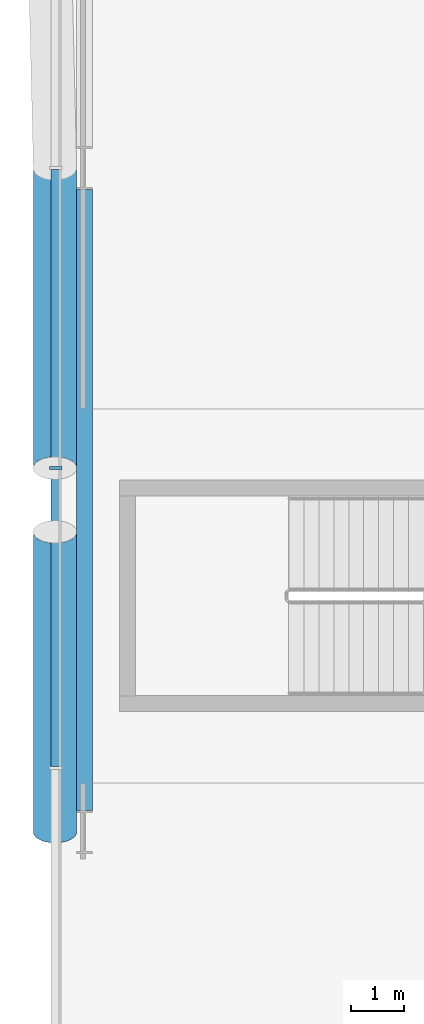
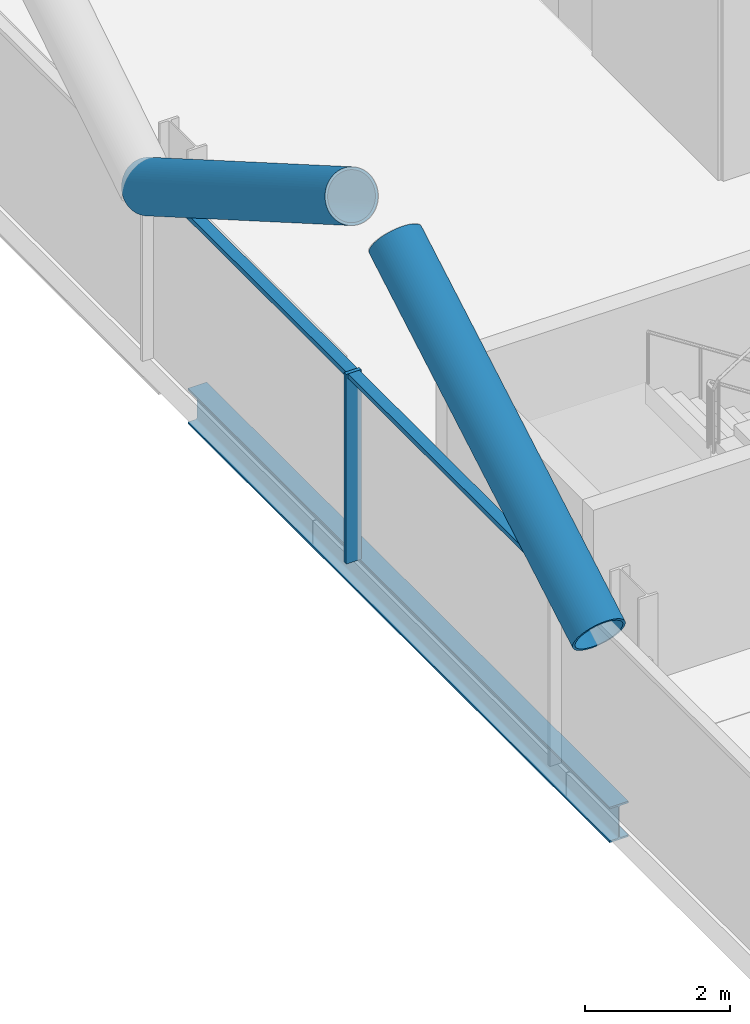
# One storey, part 6 of 30: 5 members, 1 beam, 1 element without a shape of its own.
"""IFC4 building model written with IfcOpenShell, lengths in metres."""

from ifc_helpers import new_model, si_unit, direction, frame, origin, origin_2d, place, context, subcontext, project, spatial, rectangle, hollow_circle, i_section, extrude, material, material_profile, profile_set, type_object, element, aggregate, save


model = new_model("IFC4")

# Units and contexts
model_context = context("Model", 3, precision=1e-05, world=origin(), true_north=direction((0.0, 1.0)))
body_context = subcontext(model_context, "Body", "Model", "MODEL_VIEW")
ifc_project = project(units=[si_unit("LENGTHUNIT", "METRE"), si_unit("AREAUNIT", "SQUARE_METRE"), si_unit("VOLUMEUNIT", "CUBIC_METRE"), si_unit("PLANEANGLEUNIT", "RADIAN"), si_unit("MASSUNIT", "GRAM", prefix="KILO")], contexts=[model_context])

# Site, building, storey
site_placement = place(None, origin())
site = spatial("IfcSite", under=ifc_project, at=site_placement, CompositionType="ELEMENT")
building_placement = place(site_placement, origin())
building = spatial("IfcBuilding", under=site, at=building_placement, Name="Wharfspan Tower", CompositionType="ELEMENT")
storey_placement = place(building_placement, frame((0.0, 0.0, 100.300049)))
storey = spatial("IfcBuildingStorey", under=building, at=storey_placement, Name="L22", CompositionType="ELEMENT", Elevation=100.300049)

# Beam
ifc_material_1 = material(Name="Steel S355J2", Category="steel")
ifc_material_profile_1 = material_profile(ifc_material_1, i_section(OverallWidth=0.300049, OverallDepth=0.600098, WebThickness=0.015381, FlangeThickness=0.030029, FilletRadius=0.0271, at=origin_2d()))
ifc_profile_set_1 = profile_set([ifc_material_profile_1], Name="Steel S355J2")
beam_type = type_object("IfcBeamType", Name="Edge beam HEB 600", PredefinedType="SPANDREL", material=ifc_profile_set_1)
beam_placement = place(storey_placement, frame((7.540039, 30.330322, -0.699951), z_axis=(0.0, -1.0, 0.0), x_axis=(1.0, 0.0, 0.0)))
element("IfcBeam", 1, at=beam_placement, inside=storey, type_object=beam_type, Name="Edge beam W L22 PW.1 to PW.2", PredefinedType="SPANDREL", context=body_context, shape_type="SweptSolid", body=[
    extrude(i_section(OverallWidth=0.300049, OverallDepth=0.600098, WebThickness=0.015381, FlangeThickness=0.030029, FilletRadius=0.0271, at=origin_2d()), origin(), (0.0, 0.0, 1.0), 11.660645),
])

# Curtain wall, member
ifc_material_2 = material(Name="Aluminium 6063-T6", Category="aluminium")
curtain_wall_type = type_object("IfcCurtainWallType", Name="CURTAIN WALL PROW AND END", PredefinedType="NOTDEFINED", material=ifc_material_2)
curtain_wall_placement = place(storey_placement, origin())
curtain_wall = element("IfcCurtainWall", 2, at=curtain_wall_placement, inside=storey, type_object=curtain_wall_type, Name="Curtain wall W", PredefinedType="NOTDEFINED")
ifc_material_profile_2 = material_profile(ifc_material_2, rectangle(XDim=0.23999, YDim=0.060059, at=origin_2d()))
ifc_profile_set_2 = profile_set([ifc_material_profile_2], Name="Aluminium 6063-T6")
member_type_1 = type_object("IfcMemberType", Name="MULLION PROW AND END 60x240", PredefinedType="MULLION", material=ifc_profile_set_2)
member_1_placement = place(storey_placement, frame((7.0, 25.100098, 0.0), z_axis=(0.0, 0.0, 1.0), x_axis=(1.0, 0.0, 0.0)))
member_1 = element("IfcMember", 3, at=member_1_placement, type_object=member_type_1, Name="Curtain wall W mullion 4", PredefinedType="MULLION", context=body_context, shape_type="SweptSolid", body=[
    extrude(rectangle(XDim=0.23999, YDim=0.060059, at=origin_2d()), origin(), (0.0, 0.0, 1.0), 3.199951),
])

# Members
ifc_material_3 = material(Name="Steel S460NH", Category="steel")
ifc_material_profile_3 = material_profile(ifc_material_3, hollow_circle(Radius=0.406494, WallThickness=0.040039, at=origin_2d()))
ifc_profile_set_3 = profile_set([ifc_material_profile_3], Name="Steel S460NH")
member_type_2 = type_object("IfcMemberType", Name="Mega brace CHS 813x40", PredefinedType="BRACE", material=ifc_profile_set_3)
for number, where, z_axis, x_axis, name in (
    (4, (6.985107, 30.733398, 2.899902), (0.0, -0.865959, 0.500115), (1.0, 0.0, 0.0), "Mega brace W3 L23 part 1"),
    (5, (6.985107, 18.266602, 2.899902), (0.0, 0.865959, 0.500115), (-1.0, 0.0, 0.0), "Mega brace W3 L23 part 3"),
):
    element("IfcMember", number, at=place(storey_placement, frame(where, z_axis=z_axis, x_axis=x_axis)), inside=storey, type_object=member_type_2, Name=name, PredefinedType="BRACE", context=body_context, shape_type="SweptSolid", body=[
        extrude(hollow_circle(Radius=0.406494, WallThickness=0.040039, at=origin_2d()), origin(), (0.0, 0.0, 1.0), 6.498535),
    ])

# Member
ifc_material_profile_4 = material_profile(ifc_material_2, rectangle(XDim=0.179932, YDim=0.080078, at=origin_2d()))
ifc_profile_set_4 = profile_set([ifc_material_profile_4], Name="Aluminium 6063-T6")
member_type_3 = type_object("IfcMemberType", Name="TRANSOM PROW AND END 80x180", PredefinedType="USERDEFINED", material=ifc_profile_set_4)
member_2_placement = place(storey_placement, frame((7.0, 30.703369, 3.159912), z_axis=(0.0, -1.0, 0.0), x_axis=(1.0, 0.0, 0.0)))
member_2 = element("IfcMember", 6, at=member_2_placement, type_object=member_type_3, Name="Curtain wall W transom 3", ObjectType="TRANSOM", PredefinedType="USERDEFINED", context=body_context, shape_type="SweptSolid", body=[
    extrude(rectangle(XDim=0.179932, YDim=0.080078, at=origin_2d()), origin(), (0.0, 0.0, 1.0), 5.573486),
])

member_3_placement = place(storey_placement, frame((7.0, 25.070068, 3.159912), z_axis=(0.0, -1.0, 0.0), x_axis=(1.0, 0.0, 0.0)))
member_3 = element("IfcMember", 7, at=member_3_placement, type_object=member_type_3, Name="Curtain wall W transom 4", ObjectType="TRANSOM", PredefinedType="USERDEFINED", context=body_context, shape_type="SweptSolid", body=[
    extrude(rectangle(XDim=0.179932, YDim=0.080078, at=origin_2d()), origin(), (0.0, 0.0, 1.0), 5.573486),
])

aggregate(curtain_wall, [member_1, member_2, member_3])

save(model, "model.ifc")
